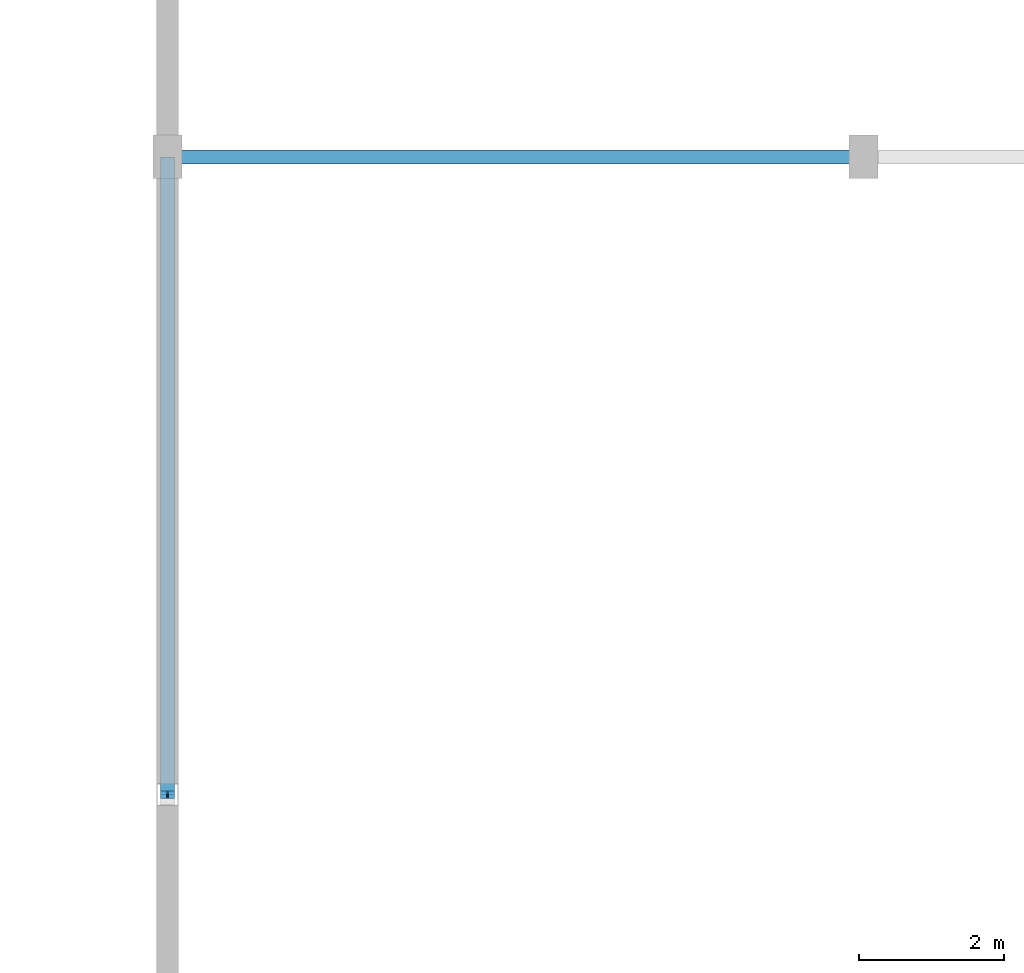
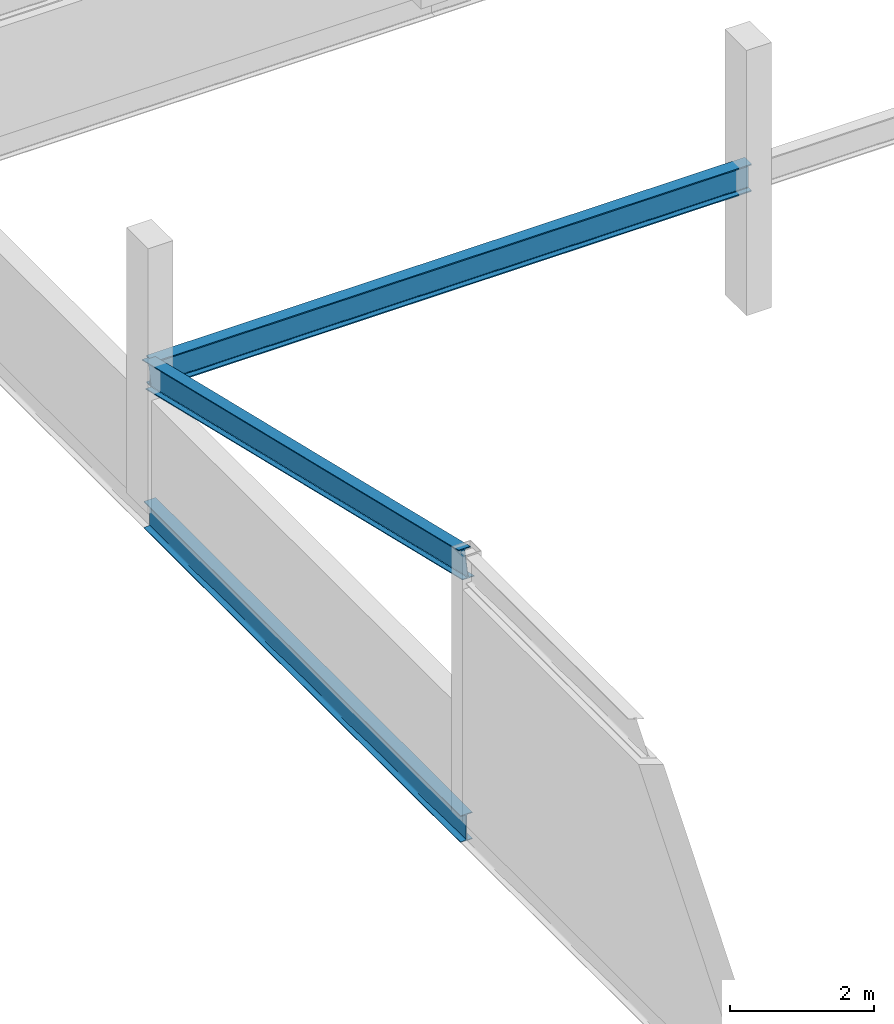
# One storey, part 37 of 114: 3 beams.
"""IFC4 building model written with IfcOpenShell, lengths in metres."""

from ifc_helpers import new_model, si_unit, direction, frame, origin, origin_2d, place, context, subcontext, project, spatial, i_section, extrude, material, material_profile, profile_set, type_object, element, save


model = new_model("IFC4")

# Units and contexts
model_context = context("Model", 3, precision=1e-05, world=origin(), true_north=direction((0.0, 1.0)))
body_context = subcontext(model_context, "Body", "Model", "MODEL_VIEW")
ifc_project = project(units=[si_unit("LENGTHUNIT", "METRE"), si_unit("AREAUNIT", "SQUARE_METRE"), si_unit("VOLUMEUNIT", "CUBIC_METRE"), si_unit("PLANEANGLEUNIT", "RADIAN"), si_unit("MASSUNIT", "GRAM", prefix="KILO")], contexts=[model_context])

# Site, building, storey
site_placement = place(None, origin())
site = spatial("IfcSite", under=ifc_project, at=site_placement, CompositionType="ELEMENT")
building_placement = place(site_placement, origin())
building = spatial("IfcBuilding", under=site, at=building_placement, Name="Chalmorin Arch Market", CompositionType="ELEMENT")
storey_placement = place(building_placement, frame((0.0, 0.0, 9.60009765625)))
storey = spatial("IfcBuildingStorey", under=building, at=storey_placement, Name="L02", CompositionType="ELEMENT", Elevation=9.60009765625)

# Beams
ifc_material = material(Name="Steel A992 Grade 50", Category="steel")
ifc_material_profile_1 = material_profile(ifc_material, i_section(OverallWidth=0.19091796875, OverallDepth=0.45703125, WebThickness=0.009033203125, FlangeThickness=0.014404296875, FilletRadius=0.02001953125, at=origin_2d()), Name="W18X50")
ifc_profile_set_1 = profile_set([ifc_material_profile_1], Name="Steel A992 Grade 50")
beam_type_1 = type_object("IfcBeamType", Name="FloorSteelBeam-W18X50", PredefinedType="BEAM", material=ifc_profile_set_1)
beam_1_placement = place(storey_placement, frame((48.0, 41.199951171875, 4.25), z_axis=(0.0, 0.972685343539, -0.232127599532), x_axis=(-1.0, 0.0, 0.0)))
element("IfcBeam", 1, at=beam_1_placement, inside=storey, type_object=beam_type_1, Name="BM-W18B-1799", PredefinedType="BEAM", context=body_context, shape_type="SweptSolid", body=[
    extrude(i_section(OverallWidth=0.19091796875, OverallDepth=0.45703125, WebThickness=0.009033203125, FlangeThickness=0.014404296875, FilletRadius=0.02001953125, at=origin_2d()), origin(), (0.0, 0.0, 1.0), 9.047119140625),
])
ifc_material_profile_2 = material_profile(ifc_material, i_section(OverallWidth=0.193115234375, OverallDepth=0.466064453125, WebThickness=0.011474609375, FlangeThickness=0.01904296875, FilletRadius=0.02001953125, at=origin_2d()), Name="W18X65")
ifc_profile_set_2 = profile_set([ifc_material_profile_2], Name="Steel A992 Grade 50")
beam_type_2 = type_object("IfcBeamType", Name="FloorSteelBeam-W18X65", PredefinedType="BEAM", material=ifc_profile_set_2)
beam_2_placement = place(storey_placement, frame((48.0, 50.0, 2.14990234375), z_axis=(1.0, 0.0, 0.0), x_axis=(0.0, 1.0, 0.0)))
element("IfcBeam", 2, at=beam_2_placement, inside=storey, type_object=beam_type_2, Name="BM-W18A-1766", PredefinedType="BEAM", context=body_context, shape_type="SweptSolid", body=[
    extrude(i_section(OverallWidth=0.193115234375, OverallDepth=0.466064453125, WebThickness=0.011474609375, FlangeThickness=0.01904296875, FilletRadius=0.02001953125, at=origin_2d()), origin(), (0.0, 0.0, 1.0), 9.60009765625),
])
ifc_material_profile_3 = material_profile(ifc_material, i_section(OverallWidth=0.19091796875, OverallDepth=0.45703125, WebThickness=0.009033203125, FlangeThickness=0.014404296875, FilletRadius=0.02001953125, at=origin_2d()), Name="W18X50")
ifc_profile_set_3 = profile_set([ifc_material_profile_3], Name="Steel A992 Grade 50")
beam_type_3 = type_object("IfcBeamType", Name="PerimeterSpandrelBeam-W18X50", PredefinedType="SPANDREL", material=ifc_profile_set_3)
beam_3_placement = place(storey_placement, frame((48.0, 41.199951171875, -0.22998046875), z_axis=(0.0, 1.0, 0.0), x_axis=(-1.0, 0.0, 0.0)))
element("IfcBeam", 3, at=beam_3_placement, inside=storey, type_object=beam_type_3, Name="SP-W18-1370", PredefinedType="SPANDREL", context=body_context, shape_type="SweptSolid", body=[
    extrude(i_section(OverallWidth=0.19091796875, OverallDepth=0.45703125, WebThickness=0.009033203125, FlangeThickness=0.014404296875, FilletRadius=0.02001953125, at=origin_2d()), origin(), (0.0, 0.0, 1.0), 8.800048828125),
])

save(model, "model.ifc")
